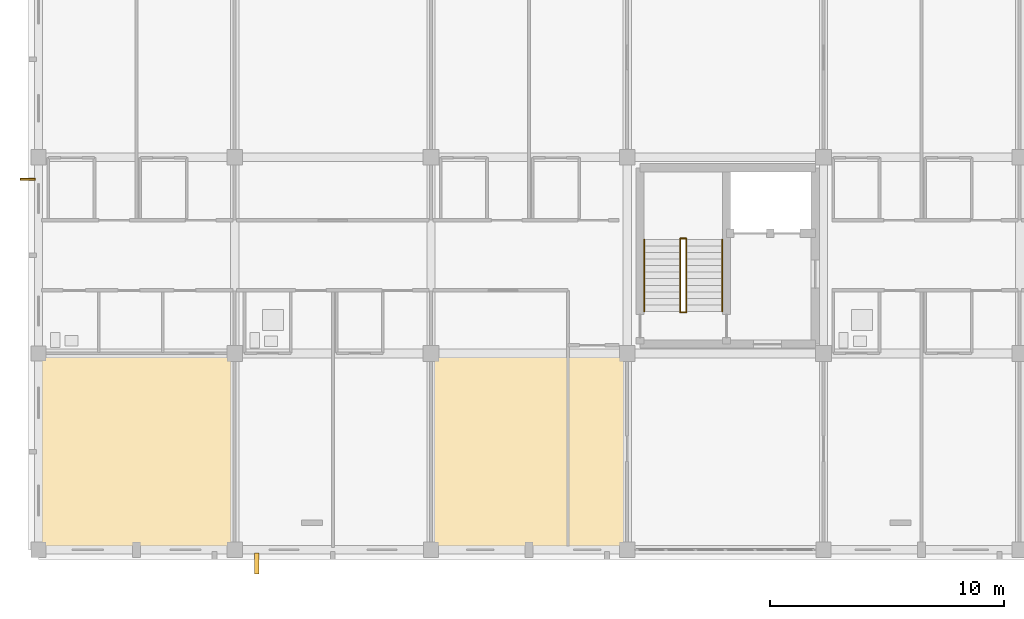
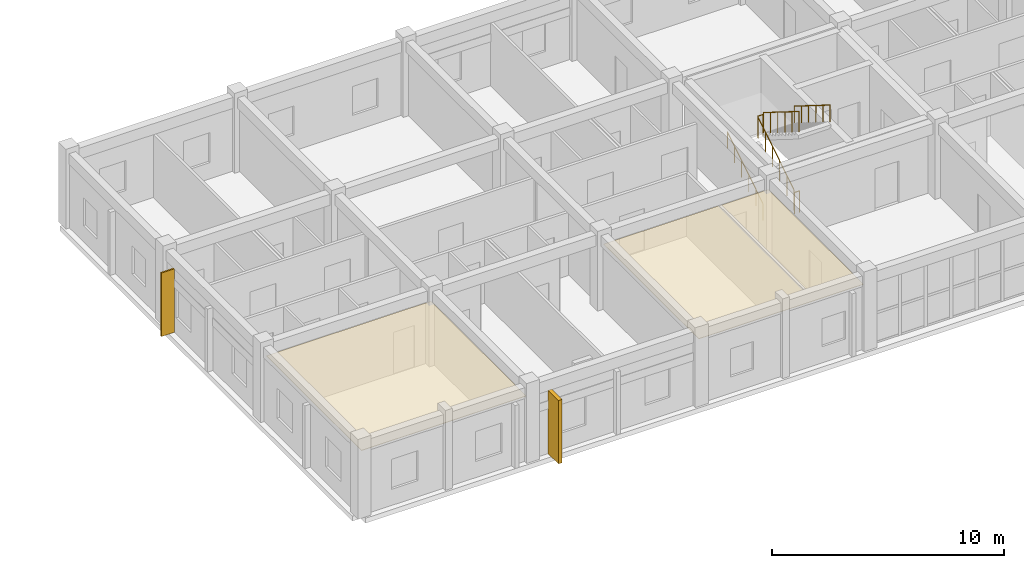
# One storey, part 78 of 90: 6 railings, 2 coverings, 2 shading devices.
"""IFC4 building model written with IfcOpenShell, lengths in metres."""

from ifc_helpers import new_model, si_unit, direction, frame, origin, origin_2d, place, context, subcontext, project, spatial, polyline, rectangle, circle, outline, extrude, material, layer, layer_set, type_object, element, save


model = new_model("IFC4")

# Units and contexts
model_context = context("Model", 3, precision=1e-05, world=origin(), true_north=direction((0.0, 1.0)))
body_context = subcontext(model_context, "Body", "Model", "MODEL_VIEW")
ifc_project = project(units=[si_unit("LENGTHUNIT", "METRE"), si_unit("AREAUNIT", "SQUARE_METRE"), si_unit("VOLUMEUNIT", "CUBIC_METRE"), si_unit("PLANEANGLEUNIT", "RADIAN"), si_unit("MASSUNIT", "GRAM", prefix="KILO")], contexts=[model_context])

# Site, building, storey
site_placement = place(None, origin())
site = spatial("IfcSite", under=ifc_project, at=site_placement, CompositionType="ELEMENT")
building_placement = place(site_placement, origin())
building = spatial("IfcBuilding", under=site, at=building_placement, Name="Trelvath General Hospital", CompositionType="ELEMENT")
storey_placement = place(building_placement, frame((0.0, 0.0, 20.39990234375)))
storey = spatial("IfcBuildingStorey", under=building, at=storey_placement, Name="L05", CompositionType="ELEMENT", Elevation=20.39990234375)

# Shading device
ifc_material_1 = material(Name="Precast concrete C40/50", Category="concrete")
shading_device_type_1 = type_object("IfcShadingDeviceType", Name="BriseSoleil PrecastFin900", PredefinedType="JALOUSIE", material=ifc_material_1)
shading_device_1_placement = place(storey_placement, frame((26.140869140625, -0.590087890625, 0.0), z_axis=(0.0, 0.0, 1.0), x_axis=(0.0, -1.0, 0.0)))
element("IfcShadingDevice", 1, at=shading_device_1_placement, inside=storey, type_object=shading_device_type_1, Name="Solar Brise-Soleil Screen L05-81", PredefinedType="JALOUSIE", context=body_context, shape_type="SweptSolid", body=[
    extrude(rectangle(XDim=0.89990234375, YDim=0.179931640625, at=origin_2d()), origin(), (0.0, 0.0, 1.0), 3.340087890625),
])

# Coverings
ifc_material_2 = material(Name="Hygienic acoustic ceiling tile")
ifc_layer = layer(ifc_material_2, 0.02490234375)
ifc_layer_set = layer_set([ifc_layer], Name="Hygienic acoustic ceiling tile")
covering_type = type_object("IfcCoveringType", Name="Ceiling ClinicalAcoustic", PredefinedType="CEILING", material=ifc_layer_set)
covering_1_placement = place(storey_placement, frame((0.0, 0.0, 3.2001953125)))
element("IfcCovering", 2, at=covering_1_placement, inside=storey, type_object=covering_type, Name="Clinical Acoustic Ceiling L05-60", PredefinedType="CEILING", context=body_context, shape_type="SweptSolid", body=[
    extrude(outline(polyline([(16.89990234375, 0.10009765625), (25.10009765625, 0.10009765625), (25.10009765625, 8.320068359375), (16.89990234375, 8.320068359375), (16.89990234375, 0.10009765625)])), origin(), (0.0, 0.0, 1.0), 0.02490234375),
])
covering_2_placement = place(storey_placement, frame((0.0, 0.0, 3.2001953125)))
element("IfcCovering", 3, at=covering_2_placement, inside=storey, type_object=covering_type, Name="Clinical Acoustic Ceiling L05-61", PredefinedType="CEILING", context=body_context, shape_type="SweptSolid", body=[
    extrude(outline(polyline([(33.699951171875, 0.10009765625), (41.89990234375, 0.10009765625), (41.89990234375, 8.320068359375), (33.699951171875, 8.320068359375), (33.699951171875, 0.10009765625)])), origin(), (0.0, 0.0, 1.0), 0.02490234375),
])

# Railings
ifc_material_3 = material(Name="Architectural painted steel", Category="steel")
railing_type_1 = type_object("IfcRailingType", Name="Guardrail Terrace1150", PredefinedType="GUARDRAIL", material=ifc_material_3)
railing_1_placement = place(storey_placement, frame((44.27001953125, 10.159912109375, 0.0)))
element("IfcRailing", 4, at=railing_1_placement, inside=storey, type_object=railing_type_1, Name="Stair Well Edge Guard C4 L05 150", PredefinedType="GUARDRAIL", context=body_context, shape_type="SweptSolid", body=[
    extrude(circle(Radius=0.02392578125, at=origin_2d()), frame((0.0, 0.0, 1.1259765625), z_axis=(1.0, 0.0, 0.0), x_axis=(0.0, 1.0, 0.0)), (0.0, 0.0, 1.0), 0.260009765625),
    extrude(circle(Radius=0.02099609375, at=origin_2d()), origin(), (0.0, 0.0, 1.0), 1.099853515625),
    extrude(circle(Radius=0.02099609375, at=origin_2d()), frame((0.260009765625, 0.0, 0.0)), (0.0, 0.0, 1.0), 1.099853515625),
])
railing_2_placement = place(storey_placement, frame((44.530029296875, 13.280029296875, 2.275146484375)))
element("IfcRailing", 5, at=railing_2_placement, inside=storey, type_object=railing_type_1, Name="Stair Rail ST4 L05 F2 L 152", PredefinedType="GUARDRAIL", context=body_context, shape_type="SweptSolid", body=[
    extrude(circle(Radius=0.02392578125, at=origin_2d()), frame((0.0, 0.0, 1.076171875), z_axis=(0.0, -0.847998304005, 0.529998940003), x_axis=(1.0, 0.0, 0.0)), (0.0, 0.0, 1.0), 3.632080078125),
    extrude(circle(Radius=0.02099609375, at=origin_2d()), origin(), (0.0, 0.0, 1.0), 1.050048828125),
    extrude(circle(Radius=0.02099609375, at=origin_2d()), frame((0.0, -0.615966796875, 0.385009765625)), (0.0, 0.0, 1.0), 1.050048828125),
    extrude(circle(Radius=0.02099609375, at=origin_2d()), frame((0.0, -1.23193359375, 0.77001953125)), (0.0, 0.0, 1.0), 1.050048828125),
    extrude(circle(Radius=0.02099609375, at=origin_2d()), frame((0.0, -1.84814453125, 1.155029296875)), (0.0, 0.0, 1.0), 1.050048828125),
    extrude(circle(Radius=0.02099609375, at=origin_2d()), frame((0.0, -2.464111328125, 1.5400390625)), (0.0, 0.0, 1.0), 1.050048828125),
    extrude(circle(Radius=0.02099609375, at=origin_2d()), frame((0.0, -3.080078125, 1.925048828125)), (0.0, 0.0, 1.0), 1.050048828125),
])
railing_3_placement = place(storey_placement, frame((44.27001953125, 10.199951171875, 0.175048828125)))
element("IfcRailing", 6, at=railing_3_placement, inside=storey, type_object=railing_type_1, Name="Stair Rail ST4 L05 F1 R 153", PredefinedType="GUARDRAIL", context=body_context, shape_type="SweptSolid", body=[
    extrude(circle(Radius=0.02392578125, at=origin_2d()), frame((0.0, 0.0, 1.076171875), z_axis=(0.0, 0.847998304005, 0.529998940003), x_axis=(-1.0, 0.0, 0.0)), (0.0, 0.0, 1.0), 3.632080078125),
    extrude(circle(Radius=0.02099609375, at=origin_2d()), origin(), (0.0, 0.0, 1.0), 1.050048828125),
    extrude(circle(Radius=0.02099609375, at=origin_2d()), frame((0.0, 0.615966796875, 0.385009765625)), (0.0, 0.0, 1.0), 1.050048828125),
    extrude(circle(Radius=0.02099609375, at=origin_2d()), frame((0.0, 1.23193359375, 0.77001953125)), (0.0, 0.0, 1.0), 1.050048828125),
    extrude(circle(Radius=0.02099609375, at=origin_2d()), frame((0.0, 1.84814453125, 1.155029296875)), (0.0, 0.0, 1.0), 1.050048828125),
    extrude(circle(Radius=0.02099609375, at=origin_2d()), frame((0.0, 2.464111328125, 1.5400390625)), (0.0, 0.0, 1.0), 1.050048828125),
    extrude(circle(Radius=0.02099609375, at=origin_2d()), frame((0.0, 3.080078125, 1.925048828125)), (0.0, 0.0, 1.0), 1.050048828125),
])
railing_4_placement = place(storey_placement, frame((44.27001953125, 13.320068359375, 2.10009765625)))
element("IfcRailing", 7, at=railing_4_placement, inside=storey, type_object=railing_type_1, Name="Half-Landing Well Guard ST4 L05 155", PredefinedType="GUARDRAIL", context=body_context, shape_type="SweptSolid", body=[
    extrude(circle(Radius=0.02392578125, at=origin_2d()), frame((0.0, 0.0, 1.1259765625), z_axis=(1.0, 0.0, 0.0), x_axis=(0.0, 1.0, 0.0)), (0.0, 0.0, 1.0), 0.260009765625),
    extrude(circle(Radius=0.02099609375, at=origin_2d()), origin(), (0.0, 0.0, 1.0), 1.099853515625),
    extrude(circle(Radius=0.02099609375, at=origin_2d()), frame((0.260009765625, 0.0, 0.0)), (0.0, 0.0, 1.0), 1.099853515625),
])
ifc_material_4 = material(Name="Brushed stainless steel", Category="steel")
railing_type_2 = type_object("IfcRailingType", Name="Handrail Stair900", PredefinedType="HANDRAIL", material=ifc_material_4)
railing_5_placement = place(storey_placement, frame((42.72998046875, 10.199951171875, 0.175048828125)))
element("IfcRailing", 8, at=railing_5_placement, inside=storey, type_object=railing_type_2, Name="Stair Rail ST4 L05 F1 L 151", PredefinedType="HANDRAIL", context=body_context, shape_type="SweptSolid", body=[
    extrude(circle(Radius=0.02392578125, at=origin_2d()), frame((0.0, 0.0, 0.8759765625), z_axis=(0.0, 0.847998304005, 0.529998940003), x_axis=(-1.0, 0.0, 0.0)), (0.0, 0.0, 1.0), 3.632080078125),
    extrude(circle(Radius=0.02099609375, at=origin_2d()), origin(), (0.0, 0.0, 1.0), 0.849853515625),
    extrude(circle(Radius=0.02099609375, at=origin_2d()), frame((0.0, 0.615966796875, 0.385009765625)), (0.0, 0.0, 1.0), 0.849853515625),
    extrude(circle(Radius=0.02099609375, at=origin_2d()), frame((0.0, 1.23193359375, 0.77001953125)), (0.0, 0.0, 1.0), 0.849853515625),
    extrude(circle(Radius=0.02099609375, at=origin_2d()), frame((0.0, 1.84814453125, 1.155029296875)), (0.0, 0.0, 1.0), 0.849853515625),
    extrude(circle(Radius=0.02099609375, at=origin_2d()), frame((0.0, 2.464111328125, 1.5400390625)), (0.0, 0.0, 1.0), 0.849853515625),
    extrude(circle(Radius=0.02099609375, at=origin_2d()), frame((0.0, 3.080078125, 1.925048828125)), (0.0, 0.0, 1.0), 0.849853515625),
])
railing_6_placement = place(storey_placement, frame((46.070068359375, 13.280029296875, 2.275146484375)))
element("IfcRailing", 9, at=railing_6_placement, inside=storey, type_object=railing_type_2, Name="Stair Rail ST4 L05 F2 R 154", PredefinedType="HANDRAIL", context=body_context, shape_type="SweptSolid", body=[
    extrude(circle(Radius=0.02392578125, at=origin_2d()), frame((0.0, 0.0, 0.8759765625), z_axis=(0.0, -0.847998304005, 0.529998940003), x_axis=(1.0, 0.0, 0.0)), (0.0, 0.0, 1.0), 3.632080078125),
    extrude(circle(Radius=0.02099609375, at=origin_2d()), origin(), (0.0, 0.0, 1.0), 0.849853515625),
    extrude(circle(Radius=0.02099609375, at=origin_2d()), frame((0.0, -0.615966796875, 0.385009765625)), (0.0, 0.0, 1.0), 0.849853515625),
    extrude(circle(Radius=0.02099609375, at=origin_2d()), frame((0.0, -1.23193359375, 0.77001953125)), (0.0, 0.0, 1.0), 0.849853515625),
    extrude(circle(Radius=0.02099609375, at=origin_2d()), frame((0.0, -1.84814453125, 1.155029296875)), (0.0, 0.0, 1.0), 0.849853515625),
    extrude(circle(Radius=0.02099609375, at=origin_2d()), frame((0.0, -2.464111328125, 1.5400390625)), (0.0, 0.0, 1.0), 0.849853515625),
    extrude(circle(Radius=0.02099609375, at=origin_2d()), frame((0.0, -3.080078125, 1.925048828125)), (0.0, 0.0, 1.0), 0.849853515625),
])

# Shading device
ifc_material_5 = material(Name="Anodised aluminium", Category="aluminium")
shading_device_type_2 = type_object("IfcShadingDeviceType", Name="SolarScreen PerforatedAlu", PredefinedType="JALOUSIE", material=ifc_material_5)
shading_device_2_placement = place(storey_placement, frame((16.3349609375, 15.859130859375, 0.0), z_axis=(0.0, 0.0, 1.0), x_axis=(-1.0, 0.0, 0.0)))
element("IfcShadingDevice", 10, at=shading_device_2_placement, inside=storey, type_object=shading_device_type_2, Name="Solar Brise-Soleil Screen L05-80", PredefinedType="JALOUSIE", context=body_context, shape_type="SweptSolid", body=[
    extrude(rectangle(XDim=0.64990234375, YDim=0.080078125, at=origin_2d()), origin(), (0.0, 0.0, 1.0), 3.340087890625),
])

save(model, "model.ifc")
